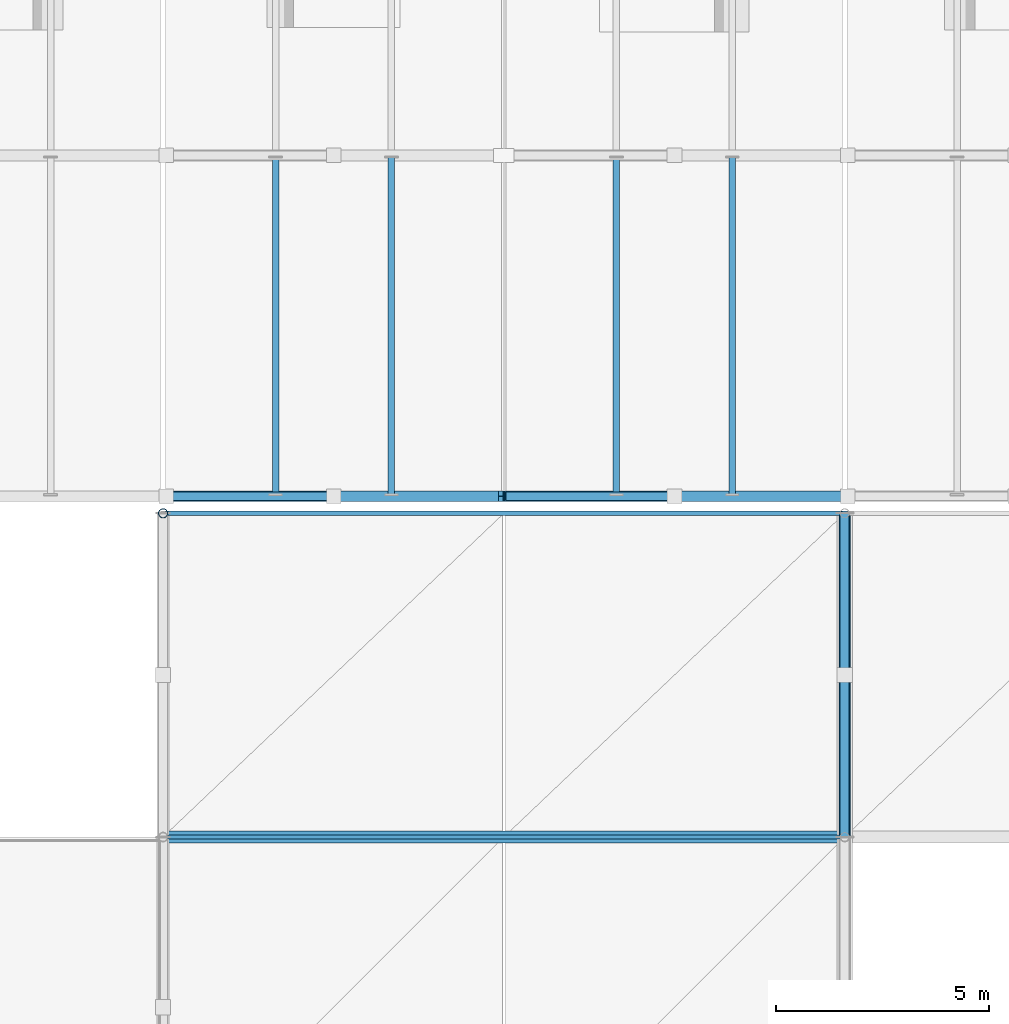
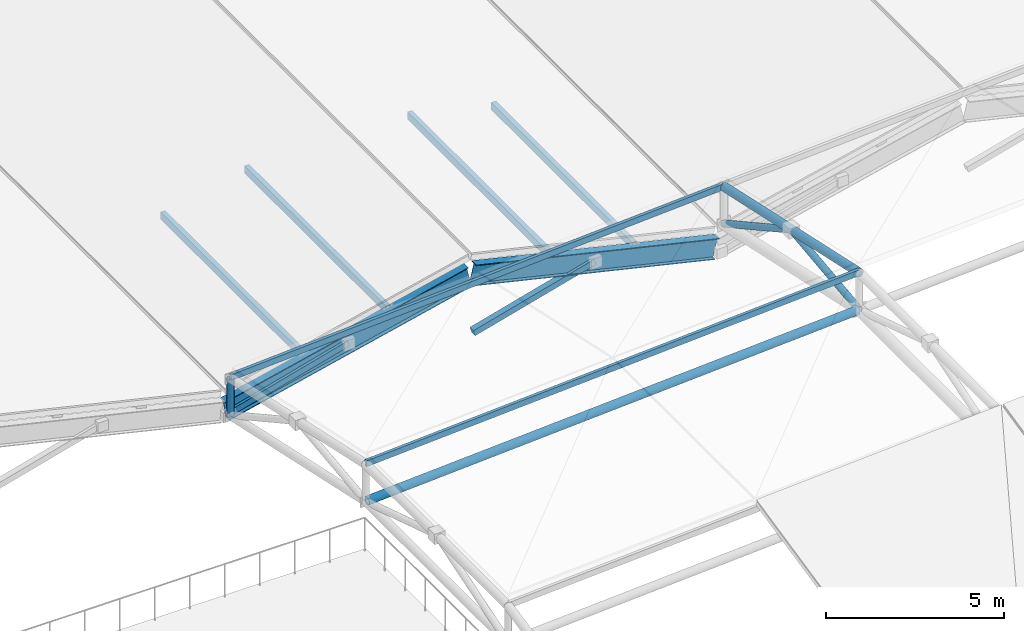
# One storey, part 12 of 67: 12 members, 3 beams.
"""IFC4 building model written with IfcOpenShell, lengths in metres."""

from ifc_helpers import new_model, si_unit, direction, frame, origin, origin_2d, place, context, subcontext, project, spatial, hollow_rectangle, hollow_circle, i_section, extrude, material, material_profile, profile_set, type_object, element, save


model = new_model("IFC4")

# Units and contexts
model_context = context("Model", 3, precision=1e-05, world=origin(), true_north=direction((0.0, 1.0)))
body_context = subcontext(model_context, "Body", "Model", "MODEL_VIEW")
ifc_project = project(units=[si_unit("LENGTHUNIT", "METRE"), si_unit("AREAUNIT", "SQUARE_METRE"), si_unit("VOLUMEUNIT", "CUBIC_METRE"), si_unit("PLANEANGLEUNIT", "RADIAN"), si_unit("MASSUNIT", "GRAM", prefix="KILO")], contexts=[model_context])

# Site, building, storey
site_placement = place(None, origin())
site = spatial("IfcSite", under=ifc_project, at=site_placement, CompositionType="ELEMENT")
building_placement = place(site_placement, origin())
building = spatial("IfcBuilding", under=site, at=building_placement, Name="Drelvath Fold Interchange", CompositionType="ELEMENT")
storey_placement = place(building_placement, frame((0.0, 0.0, 15.60009765625)))
storey = spatial("IfcBuildingStorey", under=building, at=storey_placement, Name="L03", CompositionType="ELEMENT", Elevation=15.60009765625)

# Beams
ifc_material_1 = material(Name="Steel ASTM A992 Grade 50", Category="steel")
ifc_material_profile_1 = material_profile(ifc_material_1, i_section(OverallWidth=0.256103515625, OverallDepth=0.693115234375, WebThickness=0.014404296875, FlangeThickness=0.023681640625, at=origin_2d()), Name="W27X114")
ifc_profile_set_1 = profile_set([ifc_material_profile_1], Name="Steel ASTM A992 Grade 50")
beam_type_1 = type_object("IfcBeamType", Name="BM-W27X114", PredefinedType="BEAM", material=ifc_profile_set_1)
for number, where, z_axis, x_axis, name in (
    (1, (52.050048828125, 59.0, -0.10009765625), (0.973655780122, 0.0, 0.228022853754), (0.0, 1.0, 0.0), "Folded-plate roof truss rafter"),
    (2, (60.050048828125, 59.0, 1.75), (0.973655780122, 0.0, -0.228022853754), (0.0, 1.0, 0.0), "Folded-plate roof truss rafter"),
):
    element("IfcBeam", number, at=place(storey_placement, frame(where, z_axis=z_axis, x_axis=x_axis)), inside=storey, type_object=beam_type_1, Name=name, PredefinedType="BEAM", context=body_context, shape_type="SweptSolid", body=[
        extrude(i_section(OverallWidth=0.256103515625, OverallDepth=0.693115234375, WebThickness=0.014404296875, FlangeThickness=0.023681640625, at=origin_2d()), origin(), (0.0, 0.0, 1.0), 8.11376953125),
    ])

# Members
ifc_material_2 = material(Name="Steel ASTM A500 Grade C", Category="steel")
ifc_material_profile_2 = material_profile(ifc_material_2, hollow_rectangle(XDim=0.202880859375, YDim=0.202880859375, WallThickness=0.0087890625, at=origin_2d()), Name="HSS8X8X3/8")
ifc_profile_set_2 = profile_set([ifc_material_profile_2], Name="Steel ASTM A500 Grade C")
member_type_1 = type_object("IfcMemberType", Name="FP-WEB203", PredefinedType="BRACE", material=ifc_profile_set_2)
for number, where, z_axis, x_axis, name in (
    (3, (52.080078125, 59.0, -0.25), (0.964395563634, 0.0, 0.264463980237), (0.0, 1.0, 0.0), "L03 Folded-plate roof truss web brace FP-WEB203"),
    (4, (60.080078125, 59.0, -0.25), (0.964395563634, 0.0, 0.264463980237), (0.0, 1.0, 0.0), "L03 Folded-plate roof truss web brace FP-WEB203"),
):
    element("IfcMember", number, at=place(storey_placement, frame(where, z_axis=z_axis, x_axis=x_axis)), inside=storey, type_object=member_type_1, Name=name, PredefinedType="BRACE", context=body_context, shape_type="SweptSolid", body=[
        extrude(hollow_rectangle(XDim=0.202880859375, YDim=0.202880859375, WallThickness=0.0087890625, at=origin_2d()), origin(), (0.0, 0.0, 1.0), 4.064697265625),
    ])
ifc_material_profile_3 = material_profile(ifc_material_2, hollow_rectangle(XDim=0.10205078125, YDim=0.202880859375, WallThickness=0.00732421875, at=origin_2d()), Name="HSS8X4X5/16")
ifc_profile_set_3 = profile_set([ifc_material_profile_3], Name="Steel ASTM A500 Grade C")
member_type_2 = type_object("IfcMemberType", Name="PR-HSS203", PredefinedType="PURLIN", material=ifc_profile_set_3)
for number, where, z_axis, x_axis, name in (
    (5, (52.0, 51.0, 2.919921875), (0.998197699277, 0.0, 0.060011275256), (0.0, 1.0, 0.0), "L03 Space frame canopy purlin PR-HSS203"),
    (6, (52.0, 58.60009765625, 1.262939453125), (0.998197699277, 0.0, 0.060011275256), (0.0, 1.0, 0.0), "L03 Space frame canopy purlin PR-HSS203"),
):
    element("IfcMember", number, at=place(storey_placement, frame(where, z_axis=z_axis, x_axis=x_axis)), inside=storey, type_object=member_type_2, Name=name, PredefinedType="PURLIN", context=body_context, shape_type="SweptSolid", body=[
        extrude(hollow_rectangle(XDim=0.10205078125, YDim=0.202880859375, WallThickness=0.00732421875, at=origin_2d()), origin(), (0.0, 0.0, 1.0), 16.02880859375),
    ])
ifc_material_profile_4 = material_profile(ifc_material_2, hollow_rectangle(XDim=0.152099609375, YDim=0.25390625, WallThickness=0.0087890625, at=origin_2d()), Name="HSS10X6X3/8")
ifc_profile_set_4 = profile_set([ifc_material_profile_4], Name="Steel ASTM A500 Grade C")
member_type_3 = type_object("IfcMemberType", Name="PR-HSS254", PredefinedType="PURLIN", material=ifc_profile_set_4)
for number, where, z_axis, x_axis, name in (
    (7, (54.639892578125, 59.0400390625, 0.827880859375), (0.0, 1.0, 0.0), (-1.0, 0.0, 0.0), "L03 Folded-plate roof purlin PR-HSS254"),
    (8, (57.360107421875, 59.0400390625, 1.456787109375), (0.0, 1.0, 0.0), (-1.0, 0.0, 0.0), "L03 Folded-plate roof purlin PR-HSS254"),
    (9, (62.639892578125, 59.0400390625, 1.456787109375), (0.0, 1.0, 0.0), (-1.0, 0.0, 0.0), "L03 Folded-plate roof purlin PR-HSS254"),
    (10, (65.360107421875, 59.0400390625, 0.827880859375), (0.0, 1.0, 0.0), (-1.0, 0.0, 0.0), "L03 Folded-plate roof purlin PR-HSS254"),
):
    element("IfcMember", number, at=place(storey_placement, frame(where, z_axis=z_axis, x_axis=x_axis)), inside=storey, type_object=member_type_3, Name=name, PredefinedType="PURLIN", context=body_context, shape_type="SweptSolid", body=[
        extrude(hollow_rectangle(XDim=0.152099609375, YDim=0.25390625, WallThickness=0.0087890625, at=origin_2d()), origin(), (0.0, 0.0, 1.0), 7.919921875),
    ])
ifc_material_profile_5 = material_profile(ifc_material_2, hollow_circle(Radius=0.136474609375, WallThickness=0.01171875, at=origin_2d()), Name="HSS10.750X0.500")
ifc_profile_set_5 = profile_set([ifc_material_profile_5], Name="Steel ASTM A500 Grade C")
member_type_4 = type_object("IfcMemberType", Name="SF-CHD273", PredefinedType="CHORD", material=ifc_profile_set_5)
member_1_placement = place(storey_placement, frame((68.0, 51.0, 3.849853515625), z_axis=(0.0, 0.977048433435, -0.213017273297), x_axis=(-1.0, 0.0, 0.0)))
element("IfcMember", 11, at=member_1_placement, inside=storey, type_object=member_type_4, Name="L03 Space frame roof truss upper chord SF-CHD273", PredefinedType="CHORD", context=body_context, shape_type="SweptSolid", body=[
    extrude(hollow_circle(Radius=0.136474609375, WallThickness=0.01171875, at=origin_2d()), origin(), (0.0, 0.0, 1.0), 7.778564453125),
])

# Beam
ifc_material_profile_6 = material_profile(ifc_material_2, hollow_circle(Radius=0.136474609375, WallThickness=0.01171875, at=origin_2d()), Name="HSS10.750X0.500")
ifc_profile_set_6 = profile_set([ifc_material_profile_6], Name="Steel ASTM A500 Grade C")
beam_type_2 = type_object("IfcBeamType", Name="SF-TIE273", PredefinedType="BEAM", material=ifc_profile_set_6)
beam_placement = place(storey_placement, frame((52.050048828125, 51.0, 1.617919921875), z_axis=(0.998174997398, 0.0, 0.060387702143), x_axis=(0.0, 1.0, 0.0)))
element("IfcBeam", 12, at=beam_placement, inside=storey, type_object=beam_type_2, Name="Space frame roof truss longitudinal tie WEST", PredefinedType="BEAM", context=body_context, shape_type="SweptSolid", body=[
    extrude(hollow_circle(Radius=0.136474609375, WallThickness=0.01171875, at=origin_2d()), origin(), (0.0, 0.0, 1.0), 15.928955078125),
])

# Members
ifc_material_profile_7 = material_profile(ifc_material_2, hollow_circle(Radius=0.109619140625, WallThickness=0.0087890625, at=origin_2d()), Name="HSS8.625X0.375")
ifc_profile_set_7 = profile_set([ifc_material_profile_7], Name="Steel ASTM A500 Grade C")
member_type_5 = type_object("IfcMemberType", Name="SF-WEB219", PredefinedType="BRACE", material=ifc_profile_set_7)
member_2_placement = place(storey_placement, frame((52.0, 58.60009765625, -0.0390625), z_axis=(0.0, 0.0, 1.0), x_axis=(1.0, 0.0, 0.0)))
element("IfcMember", 13, at=member_2_placement, inside=storey, type_object=member_type_5, Name="L03 Space frame roof truss web brace SF-WEB219", PredefinedType="BRACE", context=body_context, shape_type="SweptSolid", body=[
    extrude(hollow_circle(Radius=0.109619140625, WallThickness=0.0087890625, at=origin_2d()), origin(), (0.0, 0.0, 1.0), 1.27001953125),
])
member_3_placement = place(storey_placement, frame((68.0, 51.0, 2.579833984375), z_axis=(0.0, 0.993328477479, 0.11531927779), x_axis=(-1.0, 0.0, 0.0)))
element("IfcMember", 14, at=member_3_placement, inside=storey, type_object=member_type_5, Name="L03 Space frame roof truss web brace SF-WEB219", PredefinedType="BRACE", context=body_context, shape_type="SweptSolid", body=[
    extrude(hollow_circle(Radius=0.109619140625, WallThickness=0.0087890625, at=origin_2d()), origin(), (0.0, 0.0, 1.0), 3.82568359375),
])
member_4_placement = place(storey_placement, frame((68.0, 54.800048828125, 3.02099609375), z_axis=(0.0, 0.875425060866, -0.483353869135), x_axis=(-1.0, 0.0, 0.0)))
element("IfcMember", 15, at=member_4_placement, inside=storey, type_object=member_type_5, Name="L03 Space frame roof truss web brace SF-WEB219", PredefinedType="BRACE", context=body_context, shape_type="SweptSolid", body=[
    extrude(hollow_circle(Radius=0.109619140625, WallThickness=0.0087890625, at=origin_2d()), origin(), (0.0, 0.0, 1.0), 4.3408203125),
])

save(model, "model.ifc")
